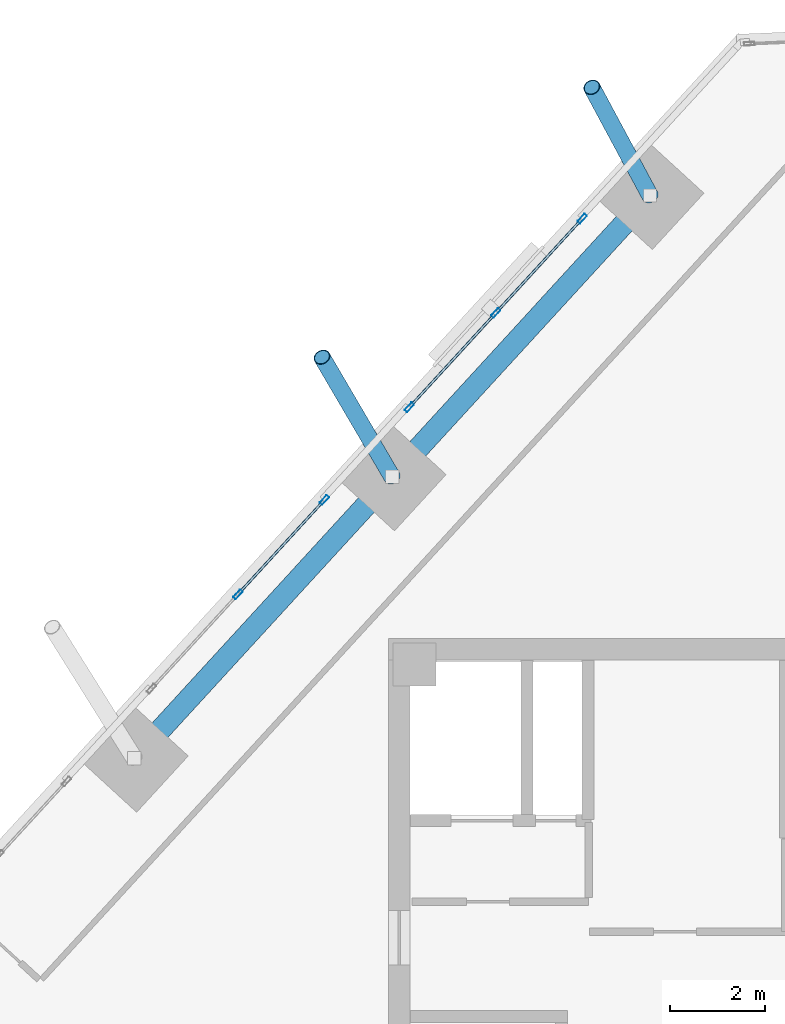
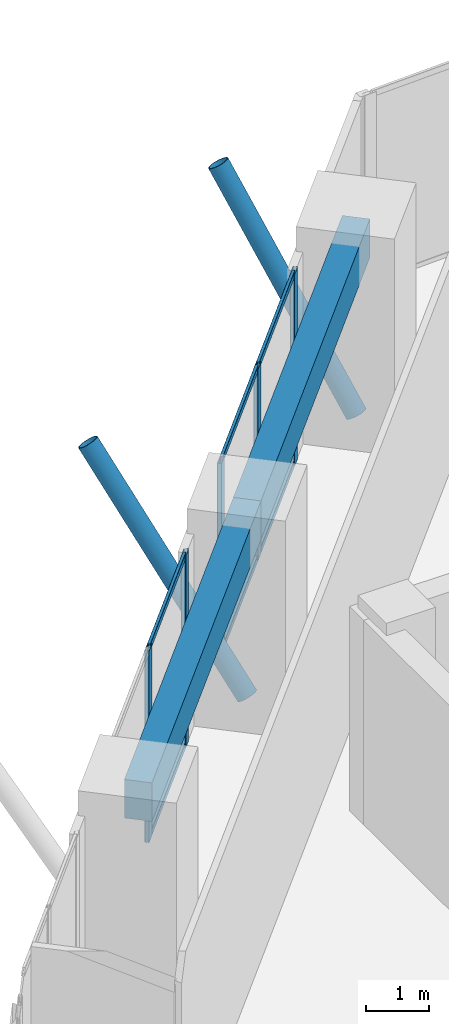
# One storey, part 9 of 18: 13 members, 2 beams, 2 elements without a shape of their own.
"""IFC4 building model written with IfcOpenShell, lengths in metres."""

from ifc_helpers import new_model, si_unit, direction, frame, origin, origin_2d, place, context, subcontext, project, spatial, rectangle, hollow_rectangle, hollow_circle, extrude, source, transform, mapped, material, material_profile, profile_set, type_object, element, aggregate, save


model = new_model("IFC4")

# Units and contexts
model_context = context("Model", 3, precision=1e-05, world=origin(), true_north=direction((0.0, 1.0)))
body_context = subcontext(model_context, "Body", "Model", "MODEL_VIEW")
ifc_project = project(units=[si_unit("LENGTHUNIT", "METRE"), si_unit("AREAUNIT", "SQUARE_METRE"), si_unit("VOLUMEUNIT", "CUBIC_METRE"), si_unit("PLANEANGLEUNIT", "RADIAN"), si_unit("MASSUNIT", "GRAM", prefix="KILO")], contexts=[model_context])

# Site, building, storey
site_placement = place(None, origin())
site = spatial("IfcSite", under=ifc_project, at=site_placement, CompositionType="ELEMENT")
building_placement = place(site_placement, origin())
building = spatial("IfcBuilding", under=site, at=building_placement, Name="Torre Montelarca", CompositionType="ELEMENT")
storey_placement = place(building_placement, frame((0.0, 0.0, 237.39990234375)))
storey = spatial("IfcBuildingStorey", under=building, at=storey_placement, Name="L53", CompositionType="ELEMENT", Elevation=237.39990234375)

# Members
ifc_material_1 = material(Name="Steel ASTM A500 Grade C", Category="steel")
ifc_material_profile_1 = material_profile(ifc_material_1, hollow_circle(Radius=0.177734375, WallThickness=0.015869140625, at=origin_2d()), Name="HSS355.6X15.9", Category="steel")
ifc_profile_set_1 = profile_set([ifc_material_profile_1], Name="Steel ASTM A500 Grade C")
member_type_1 = type_object("IfcMemberType", Name="MB-BR-CHS356-EXT", PredefinedType="BRACE", material=ifc_profile_set_1)
shared_shape_1 = source(origin(), body_context, "Body", "SweptSolid", [
    extrude(hollow_circle(Radius=0.177734375, WallThickness=0.015869140625, at=origin_2d()), origin(), (0.0, 0.0, 1.0), 4.8740234375),
])
member_1_placement = place(storey_placement, frame((9.076904296875, 43.3837890625, 0.150146484375), z_axis=(-0.301891774311, 0.515124441184, 0.802189607698), x_axis=(-0.86275475942, -0.50562261134, 0.0)))
element("IfcMember", 1, at=member_1_placement, inside=storey, type_object=member_type_1, Name="L54 Sliding Tray Exterior Diagonal Raker Strut W2", PredefinedType="BRACE", context=body_context, shape_type="MappedRepresentation", body=[
    mapped(shared_shape_1, transform((0.0, 0.0, 0.0), scale=1.0)),
])
shared_shape_2 = source(origin(), body_context, "Body", "SweptSolid", [
    extrude(hollow_circle(Radius=0.177734375, WallThickness=0.015869140625, at=origin_2d()), origin(), (0.0, 0.0, 1.0), 4.682373046875),
])
member_2_placement = place(storey_placement, frame((14.481689453125, 49.281982421875, 0.150146484375), z_axis=(-0.260436921277, 0.484689013052, 0.835014473325), x_axis=(-0.880887616006, -0.473325477835, 0.0)))
element("IfcMember", 2, at=member_2_placement, inside=storey, type_object=member_type_1, Name="L54 Sliding Tray Exterior Diagonal Raker Strut W3", PredefinedType="BRACE", context=body_context, shape_type="MappedRepresentation", body=[
    mapped(shared_shape_2, transform((0.0, 0.0, 0.0), scale=1.0)),
])

# Beams
ifc_material_2 = material(Name="Concrete C55/67", Category="concrete")
ifc_material_profile_2 = material_profile(ifc_material_2, rectangle(XDim=0.449951171875, YDim=0.75, at=origin_2d()), Name="RCB450X750", Category="concrete")
ifc_profile_set_2 = profile_set([ifc_material_profile_2], Name="Concrete C55/67")
beam_type = type_object("IfcBeamType", Name="BM-SP-RC750-EXT", PredefinedType="SPANDREL", material=ifc_profile_set_2)
shared_shape_3 = source(origin(), body_context, "Body", "SweptSolid", [
    extrude(rectangle(XDim=0.449951171875, YDim=0.75, at=origin_2d()), origin(), (0.0, 0.0, 1.0), 8.0),
])
for number, where, z_axis, x_axis, name in (
    (3, (3.672119140625, 37.485595703125, 3.585205078125), (0.675596099327, 0.737271938008, 0.0), (-0.737271938008, 0.675596099327, 0.0), "L53 Grid Girder Y 24.0-32.0 at X=4.7"),
    (4, (9.076904296875, 43.3837890625, 3.585205078125), (0.675596099327, 0.737271938008, 0.0), (-0.737271938008, 0.675596099327, 0.0), "L53 Grid Girder Y 32.0-40.0 at X=4.7"),
):
    element("IfcBeam", number, at=place(storey_placement, frame(where, z_axis=z_axis, x_axis=x_axis)), inside=storey, type_object=beam_type, Name=name, PredefinedType="SPANDREL", context=body_context, shape_type="MappedRepresentation", body=[
        mapped(shared_shape_3, transform((0.0, 0.0, 0.0), scale=1.0)),
    ])

# Curtain wall, members
ifc_material_3 = material(Name="Insulated low-E laminated glass", Category="glass")
curtain_wall_type = type_object("IfcCurtainWallType", Name="CW-SYS-Z3", PredefinedType="USERDEFINED", material=ifc_material_3)
curtain_wall_1_placement = place(storey_placement, origin())
curtain_wall_1 = element("IfcCurtainWall", 5, at=curtain_wall_1_placement, inside=storey, type_object=curtain_wall_type, Name="L53 Curtain Wall Run CW-T3-L53-E10-B1", ObjectType="UNITISED GLAZING", PredefinedType="USERDEFINED")
ifc_material_4 = material(Name="Anodised aluminium AA 6063-T6", Category="aluminium")
ifc_material_profile_3 = material_profile(ifc_material_4, hollow_rectangle(XDim=0.054931640625, YDim=0.1201171875, WallThickness=0.00341796875, InnerFilletRadius=0.00341796875, OuterFilletRadius=0.007080078125, at=origin_2d()), Name="ALU55X120X3.5", Category="aluminium")
ifc_profile_set_3 = profile_set([ifc_material_profile_3], Name="Anodised aluminium AA 6063-T6")
member_type_2 = type_object("IfcMemberType", Name="CWT-ALU120", PredefinedType="USERDEFINED", material=ifc_profile_set_3)
shared_shape_4 = source(origin(), body_context, "Body", "SweptSolid", [
    extrude(hollow_rectangle(XDim=0.054931640625, YDim=0.1201171875, WallThickness=0.00341796875, InnerFilletRadius=0.00341796875, OuterFilletRadius=0.007080078125, at=origin_2d()), origin(), (0.0, 0.0, 1.0), 2.607421875),
])
member_3_placement = place(storey_placement, frame((13.035400390625, 48.769287109375, 0.027587890625), z_axis=(-0.675631346806, -0.737239637576, 0.0), x_axis=(0.737239637576, -0.675631346806, 0.0)))
member_3 = element("IfcMember", 6, at=member_3_placement, type_object=member_type_2, Name="CW transom 1.1", ObjectType="TRANSOM", PredefinedType="USERDEFINED", context=body_context, shape_type="MappedRepresentation", body=[
    mapped(shared_shape_4, transform((0.0, 0.0, 0.0), scale=1.0)),
])
member_4_placement = place(storey_placement, frame((13.035400390625, 48.769287109375, 3.692626953125), z_axis=(-0.675631346806, -0.737239637576, 0.0), x_axis=(0.737239637576, -0.675631346806, 0.0)))
member_4 = element("IfcMember", 7, at=member_4_placement, type_object=member_type_2, Name="CW transom 1.2", ObjectType="TRANSOM", PredefinedType="USERDEFINED", context=body_context, shape_type="MappedRepresentation", body=[
    mapped(shared_shape_4, transform((0.0, 0.0, 0.0), scale=1.0)),
])
member_5_placement = place(storey_placement, frame((11.22314453125, 46.79150390625, 0.027587890625), z_axis=(-0.675631346806, -0.737239637576, 0.0), x_axis=(0.737239637576, -0.675631346806, 0.0)))
member_5 = element("IfcMember", 8, at=member_5_placement, type_object=member_type_2, Name="CW transom 2.1", ObjectType="TRANSOM", PredefinedType="USERDEFINED", context=body_context, shape_type="MappedRepresentation", body=[
    mapped(shared_shape_4, transform((0.0, 0.0, 0.0), scale=1.0)),
])
member_6_placement = place(storey_placement, frame((11.22314453125, 46.79150390625, 3.692626953125), z_axis=(-0.675631346806, -0.737239637576, 0.0), x_axis=(0.737239637576, -0.675631346806, 0.0)))
member_6 = element("IfcMember", 9, at=member_6_placement, type_object=member_type_2, Name="CW transom 2.2", ObjectType="TRANSOM", PredefinedType="USERDEFINED", context=body_context, shape_type="MappedRepresentation", body=[
    mapped(shared_shape_4, transform((0.0, 0.0, 0.0), scale=1.0)),
])

curtain_wall_2_placement = place(storey_placement, origin())
curtain_wall_2 = element("IfcCurtainWall", 10, at=curtain_wall_2_placement, inside=storey, type_object=curtain_wall_type, Name="L53 Curtain Wall Run CW-T3-L53-E10-B2", ObjectType="UNITISED GLAZING", PredefinedType="USERDEFINED")
member_7_placement = place(storey_placement, frame((7.630615234375, 42.87109375, 0.027587890625), z_axis=(-0.675580452191, -0.737286275891, 0.0), x_axis=(0.737286275891, -0.675580452191, 0.0)))
member_7 = element("IfcMember", 11, at=member_7_placement, type_object=member_type_2, Name="CW transom 1.1", ObjectType="TRANSOM", PredefinedType="USERDEFINED", context=body_context, shape_type="MappedRepresentation", body=[
    mapped(shared_shape_4, transform((0.0, 0.0, 0.0), scale=1.0)),
])
member_8_placement = place(storey_placement, frame((7.630615234375, 42.87109375, 3.692626953125), z_axis=(-0.675580452191, -0.737286275891, 0.0), x_axis=(0.737286275891, -0.675580452191, 0.0)))
member_8 = element("IfcMember", 12, at=member_8_placement, type_object=member_type_2, Name="CW transom 1.2", ObjectType="TRANSOM", PredefinedType="USERDEFINED", context=body_context, shape_type="MappedRepresentation", body=[
    mapped(shared_shape_4, transform((0.0, 0.0, 0.0), scale=1.0)),
])

# Member
ifc_material_profile_4 = material_profile(ifc_material_4, hollow_rectangle(XDim=0.074951171875, YDim=0.219970703125, WallThickness=0.0048828125, InnerFilletRadius=0.0048828125, OuterFilletRadius=0.010009765625, at=origin_2d()), Name="ALU75X220X5", Category="aluminium")
ifc_profile_set_4 = profile_set([ifc_material_profile_4], Name="Anodised aluminium AA 6063-T6")
member_type_3 = type_object("IfcMemberType", Name="CWM-ALU220", PredefinedType="MULLION", material=ifc_profile_set_4)
shared_shape_5 = source(origin(), body_context, "Body", "SweptSolid", [
    extrude(hollow_rectangle(XDim=0.074951171875, YDim=0.219970703125, WallThickness=0.0048828125, InnerFilletRadius=0.0048828125, OuterFilletRadius=0.010009765625, at=origin_2d()), origin(), (0.0, 0.0, 1.0), 3.72021484375),
])
member_9_placement = place(storey_placement, frame((13.060546875, 48.796875, 0.0), z_axis=(0.0, 0.0, 1.0), x_axis=(0.737270876043, -0.675597258238, 0.0)))
member_9 = element("IfcMember", 13, at=member_9_placement, type_object=member_type_3, Name="CW mullion 1", PredefinedType="MULLION", context=body_context, shape_type="MappedRepresentation", body=[
    mapped(shared_shape_5, transform((0.0, 0.0, 0.0), scale=1.0)),
])

member_10_placement = place(storey_placement, frame((11.248291015625, 46.8193359375, 0.0), z_axis=(0.0, 0.0, 1.0), x_axis=(0.737270876043, -0.675597258238, 0.0)))
member_10 = element("IfcMember", 14, at=member_10_placement, type_object=member_type_3, Name="CW mullion 2", PredefinedType="MULLION", context=body_context, shape_type="MappedRepresentation", body=[
    mapped(shared_shape_5, transform((0.0, 0.0, 0.0), scale=1.0)),
])

member_11_placement = place(storey_placement, frame((9.43603515625, 44.841552734375, 0.0), z_axis=(0.0, 0.0, 1.0), x_axis=(0.737270876043, -0.675597258238, 0.0)))
member_11 = element("IfcMember", 15, at=member_11_placement, type_object=member_type_3, Name="CW mullion 3", PredefinedType="MULLION", context=body_context, shape_type="MappedRepresentation", body=[
    mapped(shared_shape_5, transform((0.0, 0.0, 0.0), scale=1.0)),
])

aggregate(curtain_wall_1, [member_9, member_10, member_11, member_3, member_4, member_5, member_6])

member_12_placement = place(storey_placement, frame((7.656005859375, 42.898681640625, 0.0), z_axis=(0.0, 0.0, 1.0), x_axis=(0.737279266272, -0.675588101971, 0.0)))
member_12 = element("IfcMember", 16, at=member_12_placement, type_object=member_type_3, Name="CW mullion 1", PredefinedType="MULLION", context=body_context, shape_type="MappedRepresentation", body=[
    mapped(shared_shape_5, transform((0.0, 0.0, 0.0), scale=1.0)),
])

member_13_placement = place(storey_placement, frame((5.84375, 40.9208984375, 0.0), z_axis=(0.0, 0.0, 1.0), x_axis=(0.737279266272, -0.675588101971, 0.0)))
member_13 = element("IfcMember", 17, at=member_13_placement, type_object=member_type_3, Name="CW mullion 2", PredefinedType="MULLION", context=body_context, shape_type="MappedRepresentation", body=[
    mapped(shared_shape_5, transform((0.0, 0.0, 0.0), scale=1.0)),
])

aggregate(curtain_wall_2, [member_12, member_13, member_7, member_8])

save(model, "model.ifc")
